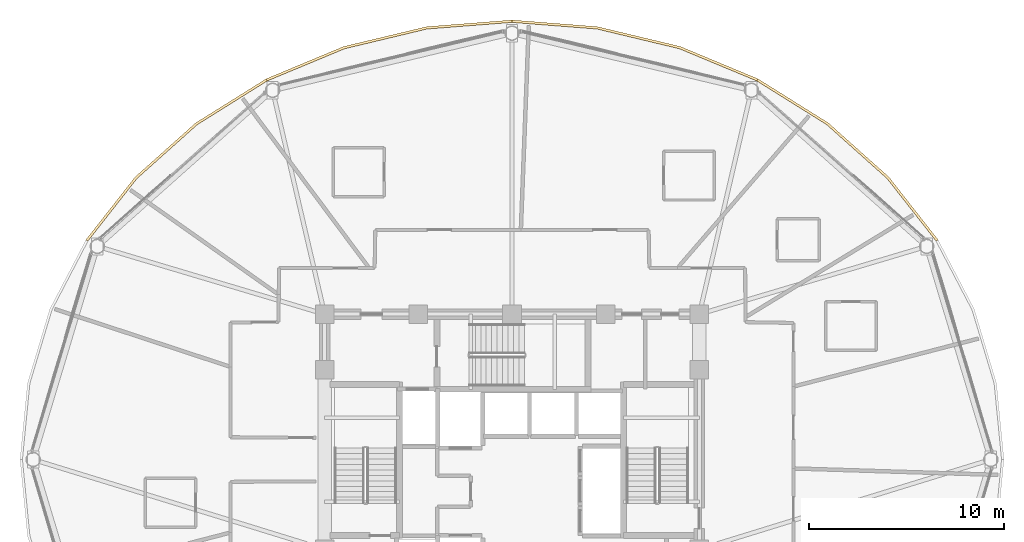
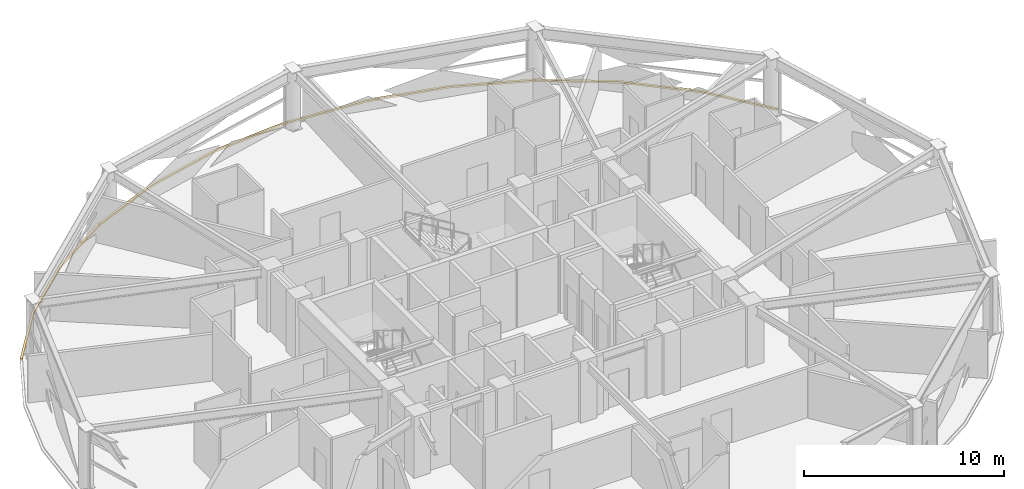
# One storey, part 29 of 29: 4 coverings.
"""IFC4 building model written with IfcOpenShell, lengths in metres."""

from ifc_helpers import new_model, si_unit, direction, frame, origin, place, context, subcontext, project, spatial, polyline, outline, extrude, material, layer, layer_set, type_object, element, save


model = new_model("IFC4")

# Units and contexts
model_context = context("Model", 3, precision=1e-05, world=origin(), true_north=direction((0.0, 1.0)))
body_context = subcontext(model_context, "Body", "Model", "MODEL_VIEW")
ifc_project = project(units=[si_unit("LENGTHUNIT", "METRE"), si_unit("AREAUNIT", "SQUARE_METRE"), si_unit("VOLUMEUNIT", "CUBIC_METRE"), si_unit("PLANEANGLEUNIT", "RADIAN"), si_unit("MASSUNIT", "GRAM", prefix="KILO")], contexts=[model_context])

# Site, building, storey
site_placement = place(None, origin())
site = spatial("IfcSite", under=ifc_project, at=site_placement, CompositionType="ELEMENT")
building_placement = place(site_placement, origin())
building = spatial("IfcBuilding", under=site, at=building_placement, Name="Vantalir Tower", CompositionType="ELEMENT")
storey_placement = place(building_placement, frame((0.0, 0.0, 168.449951171875)))
storey = spatial("IfcBuildingStorey", under=building, at=storey_placement, Name="L42", CompositionType="ELEMENT", Elevation=168.449951171875)

# Coverings
ifc_material = material(Name="Anodised champagne aluminium sill fascia", Category="aluminium")
ifc_layer = layer(ifc_material, 0.125)
ifc_layer_set = layer_set([ifc_layer], Name="Anodised champagne aluminium sill fascia")
covering_type = type_object("IfcCoveringType", Name="COV-SLAB-FASCIA-125", PredefinedType="CLADDING", material=ifc_layer_set)
covering_1_placement = place(storey_placement, frame((0.0, 0.0, -0.179931640625)))
element("IfcCovering", 1, at=covering_1_placement, inside=storey, type_object=covering_type, Name="L42 Perimeter Slab-Edge Sill Fascia 02", PredefinedType="CLADDING", context=body_context, shape_type="SweptSolid", body=[
    extrude(outline(polyline([(53.3330078125, 36.260986328125), (50.81298828125, 39.47802734375), (47.705078125, 42.25390625), (44.10595703125, 44.5048828125), (44.04296875, 44.39697265625), (47.625, 42.157958984375), (50.717041015625, 39.39697265625), (53.22509765625, 36.198974609375), (53.3330078125, 36.260986328125)])), origin(), (0.0, 0.0, 1.0), 0.10498046875),
])
covering_2_placement = place(storey_placement, frame((0.0, 0.0, -0.179931640625)))
element("IfcCovering", 2, at=covering_2_placement, inside=storey, type_object=covering_type, Name="L42 Perimeter Slab-Edge Sill Fascia 03", PredefinedType="CLADDING", context=body_context, shape_type="SweptSolid", body=[
    extrude(outline(polyline([(44.10595703125, 44.5048828125), (40.123046875, 46.1650390625), (35.8779296875, 47.180908203125), (31.5, 47.52294921875), (31.5, 47.39794921875), (35.85595703125, 47.05810546875), (40.080078125, 46.047119140625), (44.04296875, 44.39697265625), (44.10595703125, 44.5048828125)])), origin(), (0.0, 0.0, 1.0), 0.10498046875),
])
covering_3_placement = place(storey_placement, frame((0.0, 0.0, -0.179931640625)))
element("IfcCovering", 3, at=covering_3_placement, inside=storey, type_object=covering_type, Name="L42 Perimeter Slab-Edge Sill Fascia 04", PredefinedType="CLADDING", context=body_context, shape_type="SweptSolid", body=[
    extrude(outline(polyline([(31.5, 47.52294921875), (27.1220703125, 47.180908203125), (22.876953125, 46.1650390625), (18.89501953125, 44.5048828125), (18.95703125, 44.39697265625), (22.919921875, 46.047119140625), (27.14404296875, 47.05810546875), (31.5, 47.39794921875), (31.5, 47.52294921875)])), origin(), (0.0, 0.0, 1.0), 0.10498046875),
])
covering_4_placement = place(storey_placement, frame((0.0, 0.0, -0.179931640625)))
element("IfcCovering", 4, at=covering_4_placement, inside=storey, type_object=covering_type, Name="L42 Perimeter Slab-Edge Sill Fascia 05", PredefinedType="CLADDING", context=body_context, shape_type="SweptSolid", body=[
    extrude(outline(polyline([(18.89501953125, 44.5048828125), (15.294921875, 42.25390625), (12.18701171875, 39.47802734375), (9.6669921875, 36.260986328125), (9.77490234375, 36.198974609375), (12.282958984375, 39.39697265625), (15.375, 42.157958984375), (18.95703125, 44.39697265625), (18.89501953125, 44.5048828125)])), origin(), (0.0, 0.0, 1.0), 0.10498046875),
])

save(model, "model.ifc")
